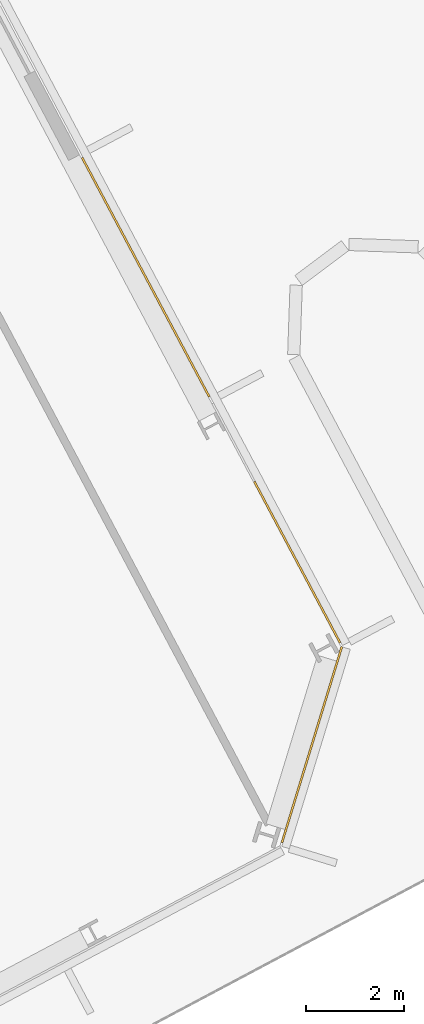
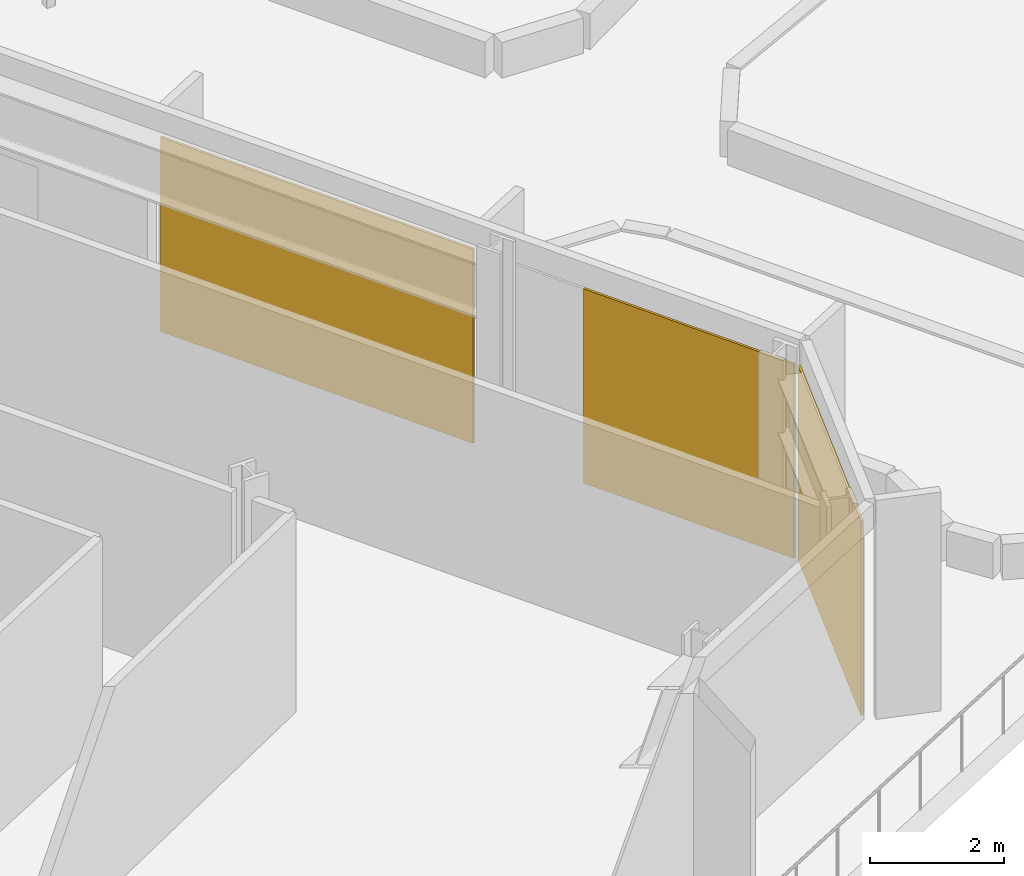
# One storey, part 33 of 34: 3 coverings, 2 elements without a shape of their own.
"""IFC4 building model written with IfcOpenShell, lengths in metres."""

from ifc_helpers import new_model, si_unit, direction, frame, origin, origin_2d, place, context, subcontext, project, spatial, rectangle, extrude, material, layer, layer_set, type_object, element, aggregate, save


model = new_model("IFC4")

# Units and contexts
model_context = context("Model", 3, precision=1e-05, world=origin(), true_north=direction((0.0, 1.0)))
body_context = subcontext(model_context, "Body", "Model", "MODEL_VIEW")
ifc_project = project(units=[si_unit("LENGTHUNIT", "METRE"), si_unit("AREAUNIT", "SQUARE_METRE"), si_unit("VOLUMEUNIT", "CUBIC_METRE"), si_unit("PLANEANGLEUNIT", "RADIAN"), si_unit("MASSUNIT", "GRAM", prefix="KILO")], contexts=[model_context])

# Site, building, storey
site_placement = place(None, origin())
site = spatial("IfcSite", under=ifc_project, at=site_placement, CompositionType="ELEMENT")
building_placement = place(site_placement, origin())
building = spatial("IfcBuilding", under=site, at=building_placement, Name="Cormorant Relay Tower", CompositionType="ELEMENT")
storey_placement = place(building_placement, frame((0.0, 0.0, 118.199951171875)))
storey = spatial("IfcBuildingStorey", under=building, at=storey_placement, Name="L23", CompositionType="ELEMENT", Elevation=118.199951171875)

# Curtain wall, covering
ifc_material_1 = material(Name="Aluminium 6063-T6 anodised bronze", Category="aluminium")
ifc_layer_1 = layer(ifc_material_1, 0.199951171875)
ifc_layer_set_1 = layer_set([ifc_layer_1], Name="CW1 unitised bronze curtain wall with vertical fins")
curtain_wall_type = type_object("IfcCurtainWallType", Name="CW1 unitised bronze curtain wall with vertical fins", PredefinedType="NOTDEFINED", material=ifc_layer_set_1)
curtain_wall_1_placement = place(storey_placement, origin())
curtain_wall_1 = element("IfcCurtainWall", 1, at=curtain_wall_1_placement, inside=storey, type_object=curtain_wall_type, Name="CW1 curtain wall 5", PredefinedType="NOTDEFINED")
ifc_material_2 = material(Name="Pale bronze anodised aluminium insulated panel", Category="aluminium")
ifc_layer_2 = layer(ifc_material_2, 0.0400390625)
ifc_layer_set_2 = layer_set([ifc_layer_2], Name="CW1 pale bronze insulated panel 40")
covering_type = type_object("IfcCoveringType", Name="CW1 pale bronze insulated panel 40", PredefinedType="CLADDING", material=ifc_layer_set_2)
covering_1_placement = place(storey_placement, frame((56.366455078125, 10.16455078125, 0.0), z_axis=(0.0, 0.0, 1.0), x_axis=(0.292371704723, 0.956304755963, 0.0)))
covering_1 = element("IfcCovering", 2, at=covering_1_placement, type_object=covering_type, Name="CW1 panel S00", PredefinedType="CLADDING", context=body_context, shape_type="SweptSolid", body=[
    extrude(rectangle(XDim=4.16748046875, YDim=0.0400390625, at=origin_2d()), origin(), (0.0, 0.0, 1.0), 3.550048828125),
])
aggregate(curtain_wall_1, [covering_1])

# Curtain wall, coverings
curtain_wall_2_placement = place(storey_placement, origin())
curtain_wall_2 = element("IfcCurtainWall", 3, at=curtain_wall_2_placement, inside=storey, type_object=curtain_wall_type, Name="CW1 curtain wall 6", PredefinedType="NOTDEFINED")
covering_2_placement = place(storey_placement, frame((56.066650390625, 13.879638671875, 0.0), z_axis=(0.0, 0.0, 1.0), x_axis=(-0.469471562786, 0.882947592859, 0.0)))
covering_2 = element("IfcCovering", 4, at=covering_2_placement, type_object=covering_type, Name="CW1 panel S00", PredefinedType="CLADDING", context=body_context, shape_type="SweptSolid", body=[
    extrude(rectangle(XDim=3.716796875, YDim=0.0400390625, at=origin_2d()), origin(), (0.0, 0.0, 1.0), 3.550048828125),
])
covering_3_placement = place(storey_placement, frame((52.98388671875, 19.677734375, 0.0), z_axis=(0.0, 0.0, 1.0), x_axis=(-0.469471562786, 0.882947592859, 0.0)))
covering_3 = element("IfcCovering", 5, at=covering_3_placement, type_object=covering_type, Name="CW1 panel S02", PredefinedType="CLADDING", context=body_context, shape_type="SweptSolid", body=[
    extrude(rectangle(XDim=5.5166015625, YDim=0.0400390625, at=origin_2d()), origin(), (0.0, 0.0, 1.0), 3.550048828125),
])
aggregate(curtain_wall_2, [covering_2, covering_3])

save(model, "model.ifc")
